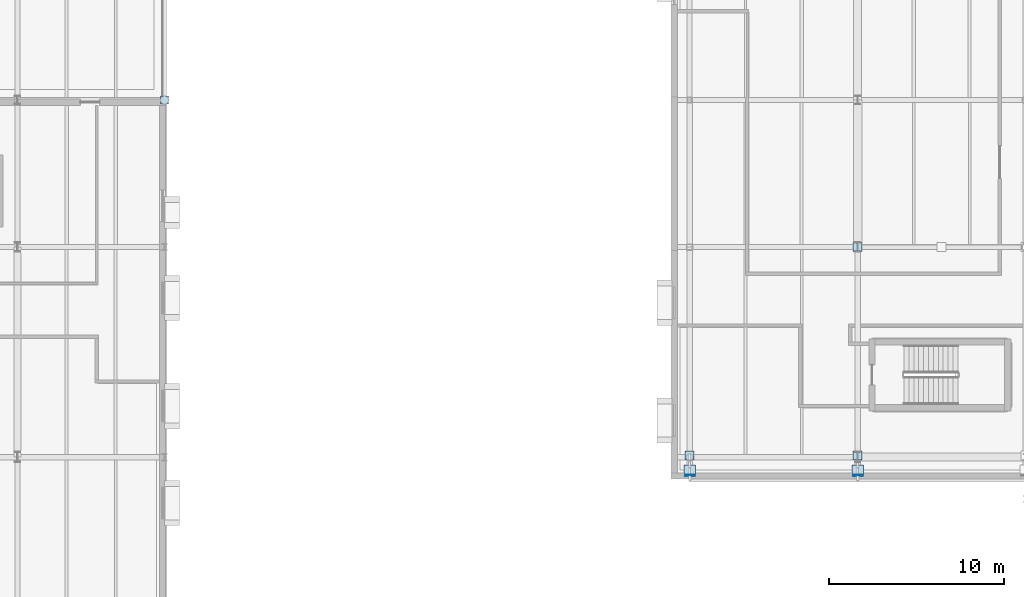
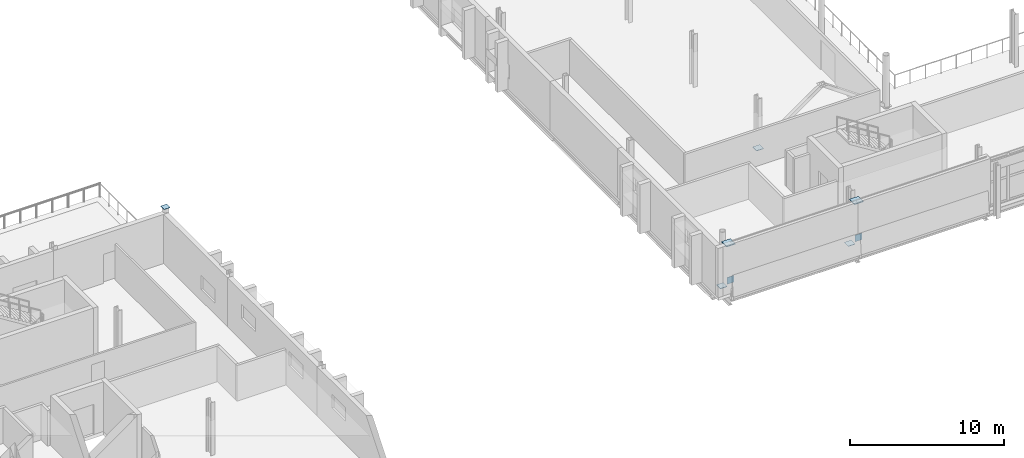
# One storey, part 34 of 57: 8 plates.
"""IFC4 building model written with IfcOpenShell, lengths in metres."""

from ifc_helpers import new_model, si_unit, direction, frame, origin, origin_2d, place, context, subcontext, project, spatial, rectangle, extrude, material, layer, layer_set, type_object, element, save


model = new_model("IFC4")

# Units and contexts
model_context = context("Model", 3, precision=1e-05, world=origin(), true_north=direction((0.0, 1.0)))
body_context = subcontext(model_context, "Body", "Model", "MODEL_VIEW")
ifc_project = project(units=[si_unit("LENGTHUNIT", "METRE"), si_unit("AREAUNIT", "SQUARE_METRE"), si_unit("VOLUMEUNIT", "CUBIC_METRE"), si_unit("PLANEANGLEUNIT", "RADIAN"), si_unit("MASSUNIT", "GRAM", prefix="KILO")], contexts=[model_context])

# Site, building, storey
site_placement = place(None, origin())
site = spatial("IfcSite", under=ifc_project, at=site_placement, CompositionType="ELEMENT")
building_placement = place(site_placement, origin())
building = spatial("IfcBuilding", under=site, at=building_placement, Name="Zereglee Splitstone Museum", CompositionType="ELEMENT")
storey_placement = place(building_placement, frame((0.0, 0.0, 17.10009765625)))
storey = spatial("IfcBuildingStorey", under=building, at=storey_placement, Name="L03", CompositionType="ELEMENT", Elevation=17.10009765625)

# Plates
ifc_material = material(Name="Steel S355J2", Category="steel")
ifc_layer_1 = layer(ifc_material, 0.02001953125)
ifc_layer_set_1 = layer_set([ifc_layer_1], Name="Steel S355J2")
plate_type_1 = type_object("IfcPlateType", Name="EC-01", PredefinedType="SHEET", material=ifc_layer_set_1)
plate_1_placement = place(storey_placement, frame((48.0, 30.0, 4.199951171875), z_axis=(0.0, 0.0, 1.0), x_axis=(1.0, 0.0, 0.0)))
element("IfcPlate", 1, at=plate_1_placement, inside=storey, type_object=plate_type_1, Name="Hollow Column End-Cap Plate EC-01 (48.0,30.0)", PredefinedType="SHEET", context=body_context, shape_type="SweptSolid", body=[
    extrude(rectangle(XDim=0.4599609375, YDim=0.4599609375, at=origin_2d()), origin(), (0.0, 0.0, 1.0), 0.02001953125),
])
ifc_layer_2 = layer(ifc_material, 0.030029296875)
ifc_layer_set_2 = layer_set([ifc_layer_2], Name="Steel S355J2")
plate_type_2 = type_object("IfcPlateType", Name="NP-04", PredefinedType="SHEET", material=ifc_layer_set_2)
for number, where, z_axis, x_axis, name in (
    (2, (87.60009765625, 21.60009765625, 0.10498046875), (0.0, 0.0, 1.0), (1.0, 0.0, 0.0), "CBF Brace Gusset Cap L03-008"),
    (3, (78.0, 9.699951171875, -0.2548828125), (0.0, 0.0, 1.0), (1.0, 0.0, 0.0), "Facet Tie Seal Plate FH-V2SW"),
):
    element("IfcPlate", number, at=place(storey_placement, frame(where, z_axis=z_axis, x_axis=x_axis)), inside=storey, type_object=plate_type_2, Name=name, PredefinedType="SHEET", context=body_context, shape_type="SweptSolid", body=[
        extrude(rectangle(XDim=0.52001953125, YDim=0.52001953125, at=origin_2d()), origin(), (0.0, 0.0, 1.0), 0.030029296875),
    ])
plate_2_placement = place(storey_placement, frame((78.0, 8.5703125, 0.659912109375), z_axis=(0.0, 0.0, 1.0), x_axis=(1.0, 0.0, 0.0)))
element("IfcPlate", 4, at=plate_2_placement, inside=storey, type_object=plate_type_2, Name="Facet Tie Seal Plate FH-V2SW", PredefinedType="SHEET", context=body_context, shape_type="SweptSolid", body=[
    extrude(rectangle(XDim=0.52001953125, YDim=0.030029296875, at=origin_2d()), origin(), (0.0, 0.0, 1.0), 0.52001953125),
])
plate_3_placement = place(storey_placement, frame((87.60009765625, 9.699951171875, -0.2548828125), z_axis=(0.0, 0.0, 1.0), x_axis=(1.0, 0.0, 0.0)))
element("IfcPlate", 5, at=plate_3_placement, inside=storey, type_object=plate_type_2, Name="Facet Tie Seal Plate FH-V2SW", PredefinedType="SHEET", context=body_context, shape_type="SweptSolid", body=[
    extrude(rectangle(XDim=0.52001953125, YDim=0.52001953125, at=origin_2d()), origin(), (0.0, 0.0, 1.0), 0.030029296875),
])
plate_4_placement = place(storey_placement, frame((87.60009765625, 8.5703125, 0.659912109375), z_axis=(0.0, 0.0, 1.0), x_axis=(1.0, 0.0, 0.0)))
element("IfcPlate", 6, at=plate_4_placement, inside=storey, type_object=plate_type_2, Name="Facet Tie Seal Plate FH-V2SW", PredefinedType="SHEET", context=body_context, shape_type="SweptSolid", body=[
    extrude(rectangle(XDim=0.52001953125, YDim=0.030029296875, at=origin_2d()), origin(), (0.0, 0.0, 1.0), 0.52001953125),
])
ifc_layer_3 = layer(ifc_material, 0.050048828125)
ifc_layer_set_3 = layer_set([ifc_layer_3], Name="Steel S355J2")
plate_type_3 = type_object("IfcPlateType", Name="NP-02", PredefinedType="SHEET", material=ifc_layer_set_3)
for number, where, z_axis, x_axis, name in (
    (7, (78.0, 8.8232421875, 3.6650390625), (0.0, 0.0, 1.0), (1.0, 0.0, 0.0), "Facet Strut Seal Plate FH-V2SW"),
    (8, (87.60009765625, 8.8232421875, 3.6650390625), (0.0, 0.0, 1.0), (1.0, 0.0, 0.0), "Facet Strut Seal Plate FH-V2SW"),
):
    element("IfcPlate", number, at=place(storey_placement, frame(where, z_axis=z_axis, x_axis=x_axis)), inside=storey, type_object=plate_type_3, Name=name, PredefinedType="SHEET", context=body_context, shape_type="SweptSolid", body=[
        extrude(rectangle(XDim=0.659912109375, YDim=0.659912109375, at=origin_2d()), origin(), (0.0, 0.0, 1.0), 0.050048828125),
    ])

save(model, "model.ifc")
